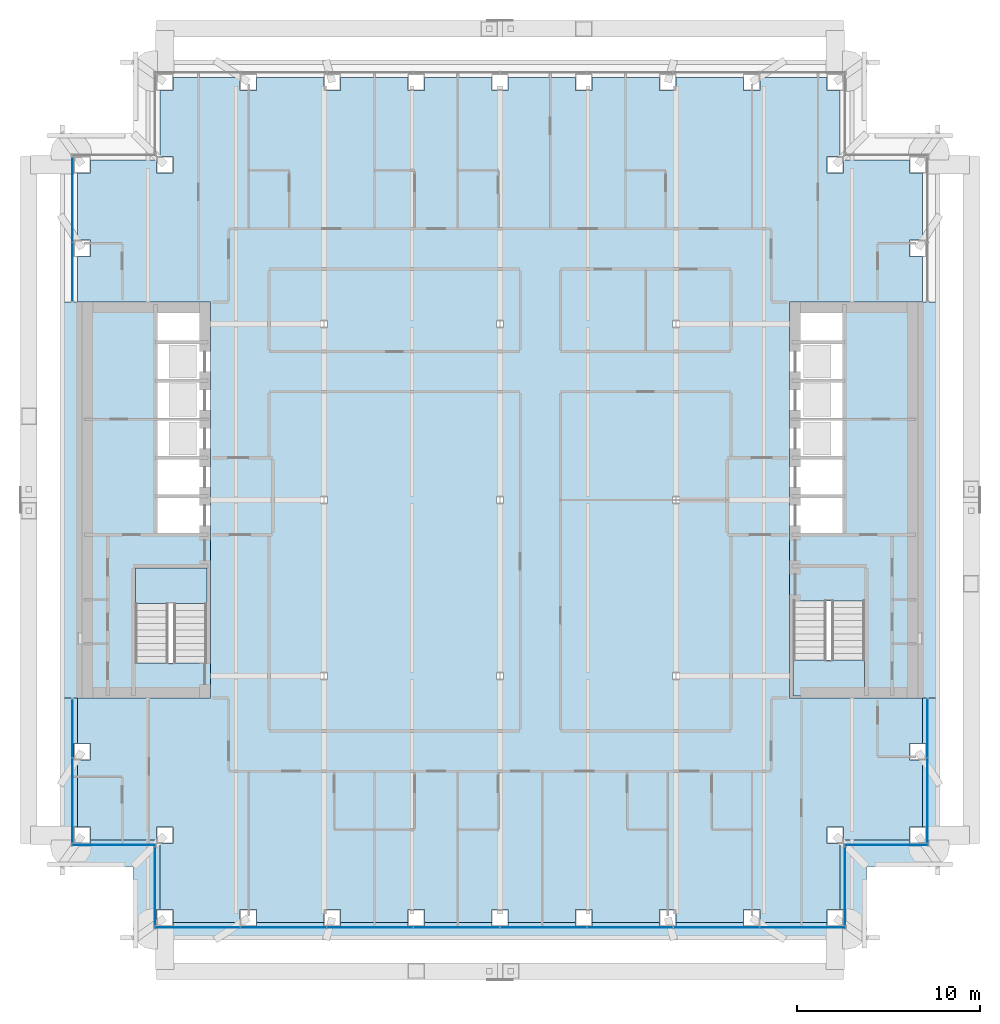
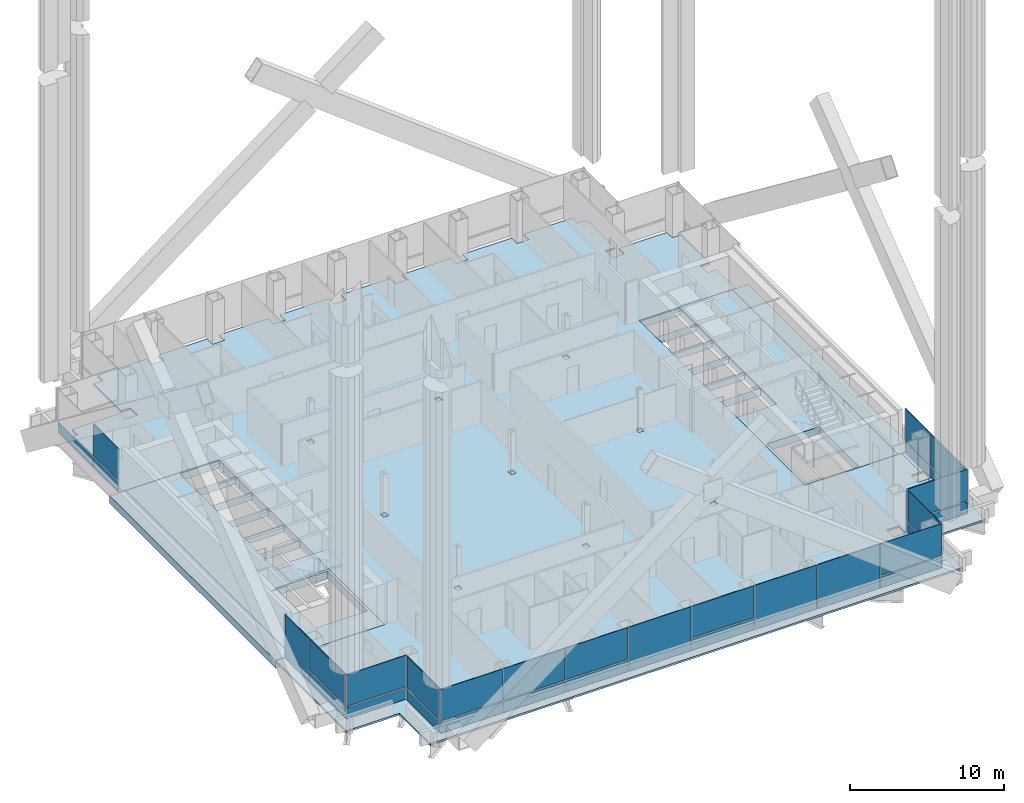
# One storey, part 11 of 22: 31 plates, 8 slabs, 10 elements without a shape of their own.
"""IFC4 building model written with IfcOpenShell, lengths in metres."""

from ifc_helpers import new_model, si_unit, direction, frame, origin, origin_2d, place, context, subcontext, project, spatial, polyline, rectangle, outline, extrude, material, layer, layer_set, type_object, element, aggregate, save


model = new_model("IFC4")

# Units and contexts
model_context = context("Model", 3, precision=1e-05, world=origin(), true_north=direction((0.0, 1.0)))
body_context = subcontext(model_context, "Body", "Model", "MODEL_VIEW")
ifc_project = project(units=[si_unit("LENGTHUNIT", "METRE"), si_unit("AREAUNIT", "SQUARE_METRE"), si_unit("VOLUMEUNIT", "CUBIC_METRE"), si_unit("PLANEANGLEUNIT", "RADIAN"), si_unit("MASSUNIT", "GRAM", prefix="KILO")], contexts=[model_context])

# Site, building, storey
site_placement = place(None, origin())
site = spatial("IfcSite", under=ifc_project, at=site_placement, CompositionType="ELEMENT")
building_placement = place(site_placement, origin())
building = spatial("IfcBuilding", under=site, at=building_placement, Name="Cobrizo Arcos Hotel Tower", CompositionType="ELEMENT")
storey_placement = place(building_placement, frame((0.0, 0.0, 89.0)))
storey = spatial("IfcBuildingStorey", under=building, at=storey_placement, Name="L21", CompositionType="ELEMENT", Elevation=89.0)

# Curtain wall, plates
ifc_material_1 = material(Name="Aluminium 6063-T6 anodised bronze", Category="aluminium")
curtain_wall_type = type_object("IfcCurtainWallType", Name="CW-A guest facade", PredefinedType="NOTDEFINED", material=ifc_material_1)
curtain_wall_1_placement = place(storey_placement, origin())
curtain_wall_1 = element("IfcCurtainWall", 1, at=curtain_wall_1_placement, inside=storey, type_object=curtain_wall_type, Name="CW-A L21 S face", PredefinedType="NOTDEFINED")
ifc_material_2 = material(Name="Glass clear laminated low-e", Category="glass")
ifc_layer_1 = layer(ifc_material_2, 0.0400390625)
ifc_layer_set_1 = layer_set([ifc_layer_1], Name="CW-A glass panel")
plate_type_1 = type_object("IfcPlateType", Name="CW-A glass panel", PredefinedType="CURTAIN_PANEL", material=ifc_layer_set_1)
plate_1_placement = place(storey_placement, frame((-16.5224609375, -23.324951171875, 0.990234375), z_axis=(0.0, 0.0, 1.0), x_axis=(1.0, 0.0, 0.0)))
plate_1 = element("IfcPlate", 2, at=plate_1_placement, type_object=plate_type_1, Name="CW-A glass panel 851", PredefinedType="CURTAIN_PANEL", context=body_context, shape_type="SweptSolid", body=[
    extrude(rectangle(XDim=4.635009765625, YDim=0.0400390625, at=origin_2d()), origin(), (0.0, 0.0, 1.0), 2.510009765625),
])
plate_2_placement = place(storey_placement, frame((-11.8125, -23.324951171875, 0.990234375), z_axis=(0.0, 0.0, 1.0), x_axis=(1.0, 0.0, 0.0)))
plate_2 = element("IfcPlate", 3, at=plate_2_placement, type_object=plate_type_1, Name="CW-A glass panel 852", PredefinedType="CURTAIN_PANEL", context=body_context, shape_type="SweptSolid", body=[
    extrude(rectangle(XDim=4.6650390625, YDim=0.0400390625, at=origin_2d()), origin(), (0.0, 0.0, 1.0), 2.510009765625),
])
plate_3_placement = place(storey_placement, frame((-7.08740234375, -23.324951171875, 0.990234375), z_axis=(0.0, 0.0, 1.0), x_axis=(1.0, 0.0, 0.0)))
plate_3 = element("IfcPlate", 4, at=plate_3_placement, type_object=plate_type_1, Name="CW-A glass panel 853", PredefinedType="CURTAIN_PANEL", context=body_context, shape_type="SweptSolid", body=[
    extrude(rectangle(XDim=4.6650390625, YDim=0.0400390625, at=origin_2d()), origin(), (0.0, 0.0, 1.0), 2.510009765625),
])
plate_4_placement = place(storey_placement, frame((2.362548828125, -23.324951171875, 0.990234375), z_axis=(0.0, 0.0, 1.0), x_axis=(1.0, 0.0, 0.0)))
plate_4 = element("IfcPlate", 5, at=plate_4_placement, type_object=plate_type_1, Name="CW-A glass panel 855", PredefinedType="CURTAIN_PANEL", context=body_context, shape_type="SweptSolid", body=[
    extrude(rectangle(XDim=4.6650390625, YDim=0.0400390625, at=origin_2d()), origin(), (0.0, 0.0, 1.0), 2.510009765625),
])
plate_5_placement = place(storey_placement, frame((16.5224609375, -23.324951171875, 0.990234375), z_axis=(0.0, 0.0, 1.0), x_axis=(1.0, 0.0, 0.0)))
plate_5 = element("IfcPlate", 6, at=plate_5_placement, type_object=plate_type_1, Name="CW-A glass panel 858", PredefinedType="CURTAIN_PANEL", context=body_context, shape_type="SweptSolid", body=[
    extrude(rectangle(XDim=4.635009765625, YDim=0.0400390625, at=origin_2d()), origin(), (0.0, 0.0, 1.0), 2.510009765625),
])

# Curtain wall, plate
curtain_wall_2_placement = place(storey_placement, origin())
curtain_wall_2 = element("IfcCurtainWall", 7, at=curtain_wall_2_placement, inside=storey, type_object=curtain_wall_type, Name="CW-A L21 E face", PredefinedType="NOTDEFINED")
plate_6_placement = place(storey_placement, frame((18.824951171875, -21.074951171875, 0.990234375), z_axis=(0.0, 0.0, 1.0), x_axis=(0.0, 1.0, 0.0)))
plate_6 = element("IfcPlate", 8, at=plate_6_placement, type_object=plate_type_1, Name="CW-A glass panel 859", PredefinedType="CURTAIN_PANEL", context=body_context, shape_type="SweptSolid", body=[
    extrude(rectangle(XDim=4.22998046875, YDim=0.0400390625, at=origin_2d()), origin(), (0.0, 0.0, 1.0), 2.510009765625),
])

curtain_wall_3_placement = place(storey_placement, origin())
curtain_wall_3 = element("IfcCurtainWall", 9, at=curtain_wall_3_placement, inside=storey, type_object=curtain_wall_type, Name="CW-A L21 S face", PredefinedType="NOTDEFINED")
plate_7_placement = place(storey_placement, frame((21.074951171875, -18.824951171875, 0.990234375), z_axis=(0.0, 0.0, 1.0), x_axis=(1.0, 0.0, 0.0)))
plate_7 = element("IfcPlate", 10, at=plate_7_placement, type_object=plate_type_1, Name="CW-A glass panel 860", PredefinedType="CURTAIN_PANEL", context=body_context, shape_type="SweptSolid", body=[
    extrude(rectangle(XDim=4.530029296875, YDim=0.0400390625, at=origin_2d()), origin(), (0.0, 0.0, 1.0), 2.510009765625),
])

# Curtain wall, plates
curtain_wall_4_placement = place(storey_placement, origin())
curtain_wall_4 = element("IfcCurtainWall", 11, at=curtain_wall_4_placement, inside=storey, type_object=curtain_wall_type, Name="CW-A L21 E face", PredefinedType="NOTDEFINED")
plate_8_placement = place(storey_placement, frame((23.324951171875, -16.391357421875, 0.990234375), z_axis=(0.0, 0.0, 1.0), x_axis=(0.0, 1.0, 0.0)))
plate_8 = element("IfcPlate", 12, at=plate_8_placement, type_object=plate_type_1, Name="CW-A glass panel 861", PredefinedType="CURTAIN_PANEL", context=body_context, shape_type="SweptSolid", body=[
    extrude(rectangle(XDim=4.597412109375, YDim=0.0400390625, at=origin_2d()), origin(), (0.0, 0.0, 1.0), 2.510009765625),
])
plate_9_placement = place(storey_placement, frame((23.324951171875, -12.4462890625, 0.990234375), z_axis=(0.0, 0.0, 1.0), x_axis=(0.0, 1.0, 0.0)))
plate_9 = element("IfcPlate", 13, at=plate_9_placement, type_object=plate_type_1, Name="CW-A glass panel 862", PredefinedType="CURTAIN_PANEL", context=body_context, shape_type="SweptSolid", body=[
    extrude(rectangle(XDim=3.172607421875, YDim=0.0400390625, at=origin_2d()), origin(), (0.0, 0.0, 1.0), 2.510009765625),
])

# Curtain wall, plate
curtain_wall_5_placement = place(storey_placement, origin())
curtain_wall_5 = element("IfcCurtainWall", 14, at=curtain_wall_5_placement, inside=storey, type_object=curtain_wall_type, Name="CW-A L21 W face", PredefinedType="NOTDEFINED")
plate_10_placement = place(storey_placement, frame((-23.324951171875, 12.4462890625, 0.990234375), z_axis=(0.0, 0.0, 1.0), x_axis=(0.0, -1.0, 0.0)))
plate_10 = element("IfcPlate", 15, at=plate_10_placement, type_object=plate_type_1, Name="CW-A glass panel 878", PredefinedType="CURTAIN_PANEL", context=body_context, shape_type="SweptSolid", body=[
    extrude(rectangle(XDim=3.172607421875, YDim=0.0400390625, at=origin_2d()), origin(), (0.0, 0.0, 1.0), 2.510009765625),
])

curtain_wall_6_placement = place(storey_placement, origin())
curtain_wall_6 = element("IfcCurtainWall", 16, at=curtain_wall_6_placement, inside=storey, type_object=curtain_wall_type, Name="CW-A L21 W face", PredefinedType="NOTDEFINED")
plate_11_placement = place(storey_placement, frame((-23.324951171875, -16.391357421875, 0.990234375), z_axis=(0.0, 0.0, 1.0), x_axis=(0.0, -1.0, 0.0)))
plate_11 = element("IfcPlate", 17, at=plate_11_placement, type_object=plate_type_1, Name="CW-A glass panel 880", PredefinedType="CURTAIN_PANEL", context=body_context, shape_type="SweptSolid", body=[
    extrude(rectangle(XDim=4.597412109375, YDim=0.0400390625, at=origin_2d()), origin(), (0.0, 0.0, 1.0), 2.510009765625),
])

curtain_wall_7_placement = place(storey_placement, origin())
curtain_wall_7 = element("IfcCurtainWall", 18, at=curtain_wall_7_placement, inside=storey, type_object=curtain_wall_type, Name="CW-A L21 S face", PredefinedType="NOTDEFINED")
plate_12_placement = place(storey_placement, frame((-21.074951171875, -18.824951171875, 0.990234375), z_axis=(0.0, 0.0, 1.0), x_axis=(1.0, 0.0, 0.0)))
plate_12 = element("IfcPlate", 19, at=plate_12_placement, type_object=plate_type_1, Name="CW-A glass panel 881", PredefinedType="CURTAIN_PANEL", context=body_context, shape_type="SweptSolid", body=[
    extrude(rectangle(XDim=4.530029296875, YDim=0.0400390625, at=origin_2d()), origin(), (0.0, 0.0, 1.0), 2.510009765625),
])

curtain_wall_8_placement = place(storey_placement, origin())
curtain_wall_8 = element("IfcCurtainWall", 20, at=curtain_wall_8_placement, inside=storey, type_object=curtain_wall_type, Name="CW-A L21 W face", PredefinedType="NOTDEFINED")
plate_13_placement = place(storey_placement, frame((-18.824951171875, -21.074951171875, 0.990234375), z_axis=(0.0, 0.0, 1.0), x_axis=(0.0, -1.0, 0.0)))
plate_13 = element("IfcPlate", 21, at=plate_13_placement, type_object=plate_type_1, Name="CW-A glass panel 882", PredefinedType="CURTAIN_PANEL", context=body_context, shape_type="SweptSolid", body=[
    extrude(rectangle(XDim=4.22998046875, YDim=0.0400390625, at=origin_2d()), origin(), (0.0, 0.0, 1.0), 2.510009765625),
])

# Plate
ifc_material_3 = material(Name="Aluminium composite panel pale metal", Category="aluminium")
ifc_layer_2 = layer(ifc_material_3, 0.0400390625)
ifc_layer_set_2 = layer_set([ifc_layer_2], Name="CW-A spandrel panel")
plate_type_2 = type_object("IfcPlateType", Name="CW-A spandrel panel", PredefinedType="CURTAIN_PANEL", material=ifc_layer_set_2)
plate_14_placement = place(storey_placement, frame((-16.5224609375, -23.324951171875, 0.0), z_axis=(0.0, 0.0, 1.0), x_axis=(1.0, 0.0, 0.0)))
plate_14 = element("IfcPlate", 22, at=plate_14_placement, type_object=plate_type_2, Name="CW-A spandrel panel 851", PredefinedType="CURTAIN_PANEL", context=body_context, shape_type="SweptSolid", body=[
    extrude(rectangle(XDim=4.635009765625, YDim=0.0400390625, at=origin_2d()), origin(), (0.0, 0.0, 1.0), 0.8701171875),
])

plate_15_placement = place(storey_placement, frame((-11.8125, -23.324951171875, 0.0), z_axis=(0.0, 0.0, 1.0), x_axis=(1.0, 0.0, 0.0)))
plate_15 = element("IfcPlate", 23, at=plate_15_placement, type_object=plate_type_2, Name="CW-A spandrel panel 852", PredefinedType="CURTAIN_PANEL", context=body_context, shape_type="SweptSolid", body=[
    extrude(rectangle(XDim=4.6650390625, YDim=0.0400390625, at=origin_2d()), origin(), (0.0, 0.0, 1.0), 0.8701171875),
])

plate_16_placement = place(storey_placement, frame((-7.08740234375, -23.324951171875, 0.0), z_axis=(0.0, 0.0, 1.0), x_axis=(1.0, 0.0, 0.0)))
plate_16 = element("IfcPlate", 24, at=plate_16_placement, type_object=plate_type_2, Name="CW-A spandrel panel 853", PredefinedType="CURTAIN_PANEL", context=body_context, shape_type="SweptSolid", body=[
    extrude(rectangle(XDim=4.6650390625, YDim=0.0400390625, at=origin_2d()), origin(), (0.0, 0.0, 1.0), 0.8701171875),
])

plate_17_placement = place(storey_placement, frame((-2.362548828125, -23.324951171875, 0.0), z_axis=(0.0, 0.0, 1.0), x_axis=(1.0, 0.0, 0.0)))
plate_17 = element("IfcPlate", 25, at=plate_17_placement, type_object=plate_type_2, Name="CW-A spandrel panel 854", PredefinedType="CURTAIN_PANEL", context=body_context, shape_type="SweptSolid", body=[
    extrude(rectangle(XDim=4.6650390625, YDim=0.0400390625, at=origin_2d()), origin(), (0.0, 0.0, 1.0), 3.5),
])

plate_18_placement = place(storey_placement, frame((2.362548828125, -23.324951171875, 0.0), z_axis=(0.0, 0.0, 1.0), x_axis=(1.0, 0.0, 0.0)))
plate_18 = element("IfcPlate", 26, at=plate_18_placement, type_object=plate_type_2, Name="CW-A spandrel panel 855", PredefinedType="CURTAIN_PANEL", context=body_context, shape_type="SweptSolid", body=[
    extrude(rectangle(XDim=4.6650390625, YDim=0.0400390625, at=origin_2d()), origin(), (0.0, 0.0, 1.0), 0.8701171875),
])

plate_19_placement = place(storey_placement, frame((7.08740234375, -23.324951171875, 0.0), z_axis=(0.0, 0.0, 1.0), x_axis=(1.0, 0.0, 0.0)))
plate_19 = element("IfcPlate", 27, at=plate_19_placement, type_object=plate_type_2, Name="CW-A spandrel panel 856", PredefinedType="CURTAIN_PANEL", context=body_context, shape_type="SweptSolid", body=[
    extrude(rectangle(XDim=4.6650390625, YDim=0.0400390625, at=origin_2d()), origin(), (0.0, 0.0, 1.0), 3.5),
])

plate_20_placement = place(storey_placement, frame((11.8125, -23.324951171875, 0.0), z_axis=(0.0, 0.0, 1.0), x_axis=(1.0, 0.0, 0.0)))
plate_20 = element("IfcPlate", 28, at=plate_20_placement, type_object=plate_type_2, Name="CW-A spandrel panel 857", PredefinedType="CURTAIN_PANEL", context=body_context, shape_type="SweptSolid", body=[
    extrude(rectangle(XDim=4.6650390625, YDim=0.0400390625, at=origin_2d()), origin(), (0.0, 0.0, 1.0), 3.5),
])

plate_21_placement = place(storey_placement, frame((16.5224609375, -23.324951171875, 0.0), z_axis=(0.0, 0.0, 1.0), x_axis=(1.0, 0.0, 0.0)))
plate_21 = element("IfcPlate", 29, at=plate_21_placement, type_object=plate_type_2, Name="CW-A spandrel panel 858", PredefinedType="CURTAIN_PANEL", context=body_context, shape_type="SweptSolid", body=[
    extrude(rectangle(XDim=4.635009765625, YDim=0.0400390625, at=origin_2d()), origin(), (0.0, 0.0, 1.0), 0.8701171875),
])

aggregate(curtain_wall_1, [plate_14, plate_1, plate_15, plate_2, plate_16, plate_3, plate_17, plate_18, plate_4, plate_19, plate_20, plate_21, plate_5])

plate_22_placement = place(storey_placement, frame((18.824951171875, -21.074951171875, 0.0), z_axis=(0.0, 0.0, 1.0), x_axis=(0.0, 1.0, 0.0)))
plate_22 = element("IfcPlate", 30, at=plate_22_placement, type_object=plate_type_2, Name="CW-A spandrel panel 859", PredefinedType="CURTAIN_PANEL", context=body_context, shape_type="SweptSolid", body=[
    extrude(rectangle(XDim=4.22998046875, YDim=0.0400390625, at=origin_2d()), origin(), (0.0, 0.0, 1.0), 0.8701171875),
])

aggregate(curtain_wall_2, [plate_22, plate_6])

plate_23_placement = place(storey_placement, frame((21.074951171875, -18.824951171875, 0.0), z_axis=(0.0, 0.0, 1.0), x_axis=(1.0, 0.0, 0.0)))
plate_23 = element("IfcPlate", 31, at=plate_23_placement, type_object=plate_type_2, Name="CW-A spandrel panel 860", PredefinedType="CURTAIN_PANEL", context=body_context, shape_type="SweptSolid", body=[
    extrude(rectangle(XDim=4.530029296875, YDim=0.0400390625, at=origin_2d()), origin(), (0.0, 0.0, 1.0), 0.8701171875),
])

aggregate(curtain_wall_3, [plate_23, plate_7])

plate_24_placement = place(storey_placement, frame((23.324951171875, -16.391357421875, 0.0), z_axis=(0.0, 0.0, 1.0), x_axis=(0.0, 1.0, 0.0)))
plate_24 = element("IfcPlate", 32, at=plate_24_placement, type_object=plate_type_2, Name="CW-A spandrel panel 861", PredefinedType="CURTAIN_PANEL", context=body_context, shape_type="SweptSolid", body=[
    extrude(rectangle(XDim=4.597412109375, YDim=0.0400390625, at=origin_2d()), origin(), (0.0, 0.0, 1.0), 0.8701171875),
])

plate_25_placement = place(storey_placement, frame((23.324951171875, -12.4462890625, 0.0), z_axis=(0.0, 0.0, 1.0), x_axis=(0.0, 1.0, 0.0)))
plate_25 = element("IfcPlate", 33, at=plate_25_placement, type_object=plate_type_2, Name="CW-A spandrel panel 862", PredefinedType="CURTAIN_PANEL", context=body_context, shape_type="SweptSolid", body=[
    extrude(rectangle(XDim=3.172607421875, YDim=0.0400390625, at=origin_2d()), origin(), (0.0, 0.0, 1.0), 0.8701171875),
])

aggregate(curtain_wall_4, [plate_24, plate_8, plate_25, plate_9])

plate_26_placement = place(storey_placement, frame((-23.324951171875, 16.391357421875, 0.0), z_axis=(0.0, 0.0, 1.0), x_axis=(0.0, -1.0, 0.0)))
plate_26 = element("IfcPlate", 34, at=plate_26_placement, type_object=plate_type_2, Name="CW-A spandrel panel 877", PredefinedType="CURTAIN_PANEL", context=body_context, shape_type="SweptSolid", body=[
    extrude(rectangle(XDim=4.597412109375, YDim=0.0400390625, at=origin_2d()), origin(), (0.0, 0.0, 1.0), 0.8701171875),
])

plate_27_placement = place(storey_placement, frame((-23.324951171875, 12.4462890625, 0.0), z_axis=(0.0, 0.0, 1.0), x_axis=(0.0, -1.0, 0.0)))
plate_27 = element("IfcPlate", 35, at=plate_27_placement, type_object=plate_type_2, Name="CW-A spandrel panel 878", PredefinedType="CURTAIN_PANEL", context=body_context, shape_type="SweptSolid", body=[
    extrude(rectangle(XDim=3.172607421875, YDim=0.0400390625, at=origin_2d()), origin(), (0.0, 0.0, 1.0), 0.8701171875),
])

aggregate(curtain_wall_5, [plate_26, plate_27, plate_10])

plate_28_placement = place(storey_placement, frame((-23.324951171875, -12.4462890625, 0.0), z_axis=(0.0, 0.0, 1.0), x_axis=(0.0, -1.0, 0.0)))
plate_28 = element("IfcPlate", 36, at=plate_28_placement, type_object=plate_type_2, Name="CW-A spandrel panel 879", PredefinedType="CURTAIN_PANEL", context=body_context, shape_type="SweptSolid", body=[
    extrude(rectangle(XDim=3.172607421875, YDim=0.0400390625, at=origin_2d()), origin(), (0.0, 0.0, 1.0), 3.5),
])

plate_29_placement = place(storey_placement, frame((-23.324951171875, -16.391357421875, 0.0), z_axis=(0.0, 0.0, 1.0), x_axis=(0.0, -1.0, 0.0)))
plate_29 = element("IfcPlate", 37, at=plate_29_placement, type_object=plate_type_2, Name="CW-A spandrel panel 880", PredefinedType="CURTAIN_PANEL", context=body_context, shape_type="SweptSolid", body=[
    extrude(rectangle(XDim=4.597412109375, YDim=0.0400390625, at=origin_2d()), origin(), (0.0, 0.0, 1.0), 0.8701171875),
])

aggregate(curtain_wall_6, [plate_28, plate_29, plate_11])

plate_30_placement = place(storey_placement, frame((-21.074951171875, -18.824951171875, 0.0), z_axis=(0.0, 0.0, 1.0), x_axis=(1.0, 0.0, 0.0)))
plate_30 = element("IfcPlate", 38, at=plate_30_placement, type_object=plate_type_2, Name="CW-A spandrel panel 881", PredefinedType="CURTAIN_PANEL", context=body_context, shape_type="SweptSolid", body=[
    extrude(rectangle(XDim=4.530029296875, YDim=0.0400390625, at=origin_2d()), origin(), (0.0, 0.0, 1.0), 0.8701171875),
])

aggregate(curtain_wall_7, [plate_30, plate_12])

plate_31_placement = place(storey_placement, frame((-18.824951171875, -21.074951171875, 0.0), z_axis=(0.0, 0.0, 1.0), x_axis=(0.0, -1.0, 0.0)))
plate_31 = element("IfcPlate", 39, at=plate_31_placement, type_object=plate_type_2, Name="CW-A spandrel panel 882", PredefinedType="CURTAIN_PANEL", context=body_context, shape_type="SweptSolid", body=[
    extrude(rectangle(XDim=4.22998046875, YDim=0.0400390625, at=origin_2d()), origin(), (0.0, 0.0, 1.0), 0.8701171875),
])

aggregate(curtain_wall_8, [plate_31, plate_13])

# Slabs
ifc_material_4 = material(Name="Concrete f'c 35 MPa", Category="concrete")
ifc_layer_3 = layer(ifc_material_4, 0.14990234375)
ifc_layer_set_3 = layer_set([ifc_layer_3], Name="Composite floor slab 150 f'c 35")
slab_type_1 = type_object("IfcSlabType", Name="Composite floor slab 150 f'c 35", PredefinedType="FLOOR", material=ifc_layer_set_3)
slab_1_placement = place(storey_placement, frame((0.0, 0.0, -0.14990234375)))
element("IfcSlab", 40, at=slab_1_placement, inside=storey, type_object=slab_type_1, Name="Floor slab S5, L21, no. 01", PredefinedType="FLOOR", context=body_context, shape_type="SweptSolid", body=[
    extrude(outline(polyline([(-23.050048828125, -14.175048828125), (-22.35009765625, -14.175048828125), (-22.35009765625, -13.27490234375), (-23.050048828125, -13.27490234375), (-23.050048828125, -10.800048828125), (-22.800048828125, -10.800048828125), (-15.800048828125, -10.800048828125), (-15.800048828125, 10.800048828125), (-22.800048828125, 10.800048828125), (-23.050048828125, 10.800048828125), (-23.050048828125, 13.27490234375), (-22.35009765625, 13.27490234375), (-22.35009765625, 14.175048828125), (-23.050048828125, 14.175048828125), (-23.050048828125, 17.85009765625), (-22.35009765625, 17.85009765625), (-22.35009765625, 18.550048828125), (-18.75, 18.550048828125), (-18.75, 17.85009765625), (-17.85009765625, 17.85009765625), (-17.85009765625, 18.75), (-18.550048828125, 18.75), (-18.550048828125, 22.35009765625), (-17.85009765625, 22.35009765625), (-17.85009765625, 23.050048828125), (-14.175048828125, 23.050048828125), (-14.175048828125, 22.35009765625), (-13.27490234375, 22.35009765625), (-13.27490234375, 23.050048828125), (-9.60009765625, 23.050048828125), (-9.60009765625, 22.35009765625), (-8.699951171875, 22.35009765625), (-8.699951171875, 23.050048828125), (-5.02490234375, 23.050048828125), (-5.02490234375, 22.35009765625), (-4.125, 22.35009765625), (-4.125, 23.050048828125), (-0.449951171875, 23.050048828125), (-0.449951171875, 22.35009765625), (0.449951171875, 22.35009765625), (0.449951171875, 23.050048828125), (4.125, 23.050048828125), (4.125, 22.35009765625), (5.02490234375, 22.35009765625), (5.02490234375, 23.050048828125), (8.699951171875, 23.050048828125), (8.699951171875, 22.35009765625), (9.60009765625, 22.35009765625), (9.60009765625, 23.050048828125), (13.27490234375, 23.050048828125), (13.27490234375, 22.35009765625), (14.175048828125, 22.35009765625), (14.175048828125, 23.050048828125), (17.85009765625, 23.050048828125), (17.85009765625, 22.35009765625), (18.550048828125, 22.35009765625), (18.550048828125, 18.75), (17.85009765625, 18.75), (17.85009765625, 17.85009765625), (18.75, 17.85009765625), (18.75, 18.550048828125), (22.35009765625, 18.550048828125), (22.35009765625, 17.85009765625), (23.050048828125, 17.85009765625), (23.050048828125, 14.175048828125), (22.35009765625, 14.175048828125), (22.35009765625, 13.27490234375), (23.050048828125, 13.27490234375), (23.050048828125, 10.800048828125), (22.800048828125, 10.800048828125), (15.800048828125, 10.800048828125), (15.800048828125, -10.800048828125), (22.800048828125, -10.800048828125), (23.050048828125, -10.800048828125), (23.050048828125, -13.27490234375), (22.35009765625, -13.27490234375), (22.35009765625, -14.175048828125), (23.050048828125, -14.175048828125), (23.050048828125, -17.85009765625), (22.35009765625, -17.85009765625), (22.35009765625, -18.550048828125), (18.75, -18.550048828125), (18.75, -17.85009765625), (17.85009765625, -17.85009765625), (17.85009765625, -18.75), (18.550048828125, -18.75), (18.550048828125, -22.35009765625), (17.85009765625, -22.35009765625), (17.85009765625, -23.050048828125), (14.175048828125, -23.050048828125), (14.175048828125, -22.35009765625), (13.27490234375, -22.35009765625), (13.27490234375, -23.050048828125), (9.60009765625, -23.050048828125), (9.60009765625, -22.35009765625), (8.699951171875, -22.35009765625), (8.699951171875, -23.050048828125), (5.02490234375, -23.050048828125), (5.02490234375, -22.35009765625), (4.125, -22.35009765625), (4.125, -23.050048828125), (0.449951171875, -23.050048828125), (0.449951171875, -22.35009765625), (-0.449951171875, -22.35009765625), (-0.449951171875, -23.050048828125), (-4.125, -23.050048828125), (-4.125, -22.35009765625), (-5.02490234375, -22.35009765625), (-5.02490234375, -23.050048828125), (-8.699951171875, -23.050048828125), (-8.699951171875, -22.35009765625), (-9.60009765625, -22.35009765625), (-9.60009765625, -23.050048828125), (-13.27490234375, -23.050048828125), (-13.27490234375, -22.35009765625), (-14.175048828125, -22.35009765625), (-14.175048828125, -23.050048828125), (-17.85009765625, -23.050048828125), (-17.85009765625, -22.35009765625), (-18.550048828125, -22.35009765625), (-18.550048828125, -18.75), (-17.85009765625, -18.75), (-17.85009765625, -17.85009765625), (-18.75, -17.85009765625), (-18.75, -18.550048828125), (-22.35009765625, -18.550048828125), (-22.35009765625, -17.85009765625), (-23.050048828125, -17.85009765625), (-23.050048828125, -14.175048828125)]), holes=[polyline([(-9.400634765625, -9.79931640625), (-9.400634765625, -9.400634765625), (-9.79931640625, -9.400634765625), (-9.79931640625, -9.79931640625), (-9.400634765625, -9.79931640625)]), polyline([(-9.79931640625, -0.199462890625), (-9.400634765625, -0.199462890625), (-9.400634765625, 0.199462890625), (-9.79931640625, 0.199462890625), (-9.79931640625, -0.199462890625)]), polyline([(-9.79931640625, 9.400634765625), (-9.400634765625, 9.400634765625), (-9.400634765625, 9.79931640625), (-9.79931640625, 9.79931640625), (-9.79931640625, 9.400634765625)]), polyline([(-0.199462890625, -9.79931640625), (0.199462890625, -9.79931640625), (0.199462890625, -9.400634765625), (-0.199462890625, -9.400634765625), (-0.199462890625, -9.79931640625)]), polyline([(9.79931640625, -9.79931640625), (9.79931640625, -9.400634765625), (9.400634765625, -9.400634765625), (9.400634765625, -9.79931640625), (9.79931640625, -9.79931640625)]), polyline([(0.199462890625, -0.199462890625), (0.199462890625, 0.199462890625), (-0.199462890625, 0.199462890625), (-0.199462890625, -0.199462890625), (0.199462890625, -0.199462890625)]), polyline([(9.79931640625, -0.199462890625), (9.79931640625, 0.199462890625), (9.400634765625, 0.199462890625), (9.400634765625, -0.199462890625), (9.79931640625, -0.199462890625)]), polyline([(-0.199462890625, 9.400634765625), (0.199462890625, 9.400634765625), (0.199462890625, 9.79931640625), (-0.199462890625, 9.79931640625), (-0.199462890625, 9.400634765625)]), polyline([(9.79931640625, 9.400634765625), (9.79931640625, 9.79931640625), (9.400634765625, 9.79931640625), (9.400634765625, 9.400634765625), (9.79931640625, 9.400634765625)])]), origin(), (0.0, 0.0, 1.0), 0.14990234375),
])
ifc_material_5 = material(Name="Concrete f'c 50 MPa", Category="concrete")
ifc_layer_4 = layer(ifc_material_5, 0.60009765625)
ifc_layer_set_4 = layer_set([ifc_layer_4], Name="RC core floor slab 600 f'c 50")
slab_type_2 = type_object("IfcSlabType", Name="RC core floor slab 600 f'c 50", PredefinedType="FLOOR", material=ifc_layer_set_4)
slab_2_placement = place(storey_placement, frame((0.0, 0.0, -0.60009765625)))
element("IfcSlab", 41, at=slab_2_placement, inside=storey, type_object=slab_type_2, Name="Core floor slab CS4, east core, L21", PredefinedType="FLOOR", context=body_context, shape_type="SweptSolid", body=[
    extrude(outline(polyline([(15.800048828125, 10.800048828125), (22.800048828125, 10.800048828125), (22.800048828125, -10.800048828125), (15.800048828125, -10.800048828125), (15.800048828125, 10.800048828125)]), holes=[polyline([(19.89794921875, -10.697998046875), (19.89794921875, -5.501953125), (16.001953125, -5.501953125), (16.001953125, -10.697998046875), (19.89794921875, -10.697998046875)]), polyline([(15.802001953125, 0.197998046875), (15.802001953125, -1.89794921875), (18.798095703125, -1.89794921875), (18.798095703125, 0.197998046875), (15.802001953125, 0.197998046875)]), polyline([(18.798095703125, 2.298095703125), (15.802001953125, 2.298095703125), (15.802001953125, 0.201904296875), (18.798095703125, 0.201904296875), (18.798095703125, 2.298095703125)]), polyline([(18.798095703125, 4.39794921875), (15.802001953125, 4.39794921875), (15.802001953125, 2.302001953125), (18.798095703125, 2.302001953125), (18.798095703125, 4.39794921875)]), polyline([(15.802001953125, 6.498046875), (15.802001953125, 4.402099609375), (18.798095703125, 4.402099609375), (18.798095703125, 6.498046875), (15.802001953125, 6.498046875)]), polyline([(18.798095703125, 8.597900390625), (15.802001953125, 8.597900390625), (15.802001953125, 6.501953125), (18.798095703125, 6.501953125), (18.798095703125, 8.597900390625)]), polyline([(18.798095703125, 10.697998046875), (15.802001953125, 10.697998046875), (15.802001953125, 8.60205078125), (18.798095703125, 8.60205078125), (18.798095703125, 10.697998046875)])]), origin(), (0.0, 0.0, 1.0), 0.60009765625),
])
slab_3_placement = place(storey_placement, frame((0.0, 0.0, -0.60009765625)))
element("IfcSlab", 42, at=slab_3_placement, inside=storey, type_object=slab_type_2, Name="Core floor slab CS4, west core, L21", PredefinedType="FLOOR", context=body_context, shape_type="SweptSolid", body=[
    extrude(outline(polyline([(-22.800048828125, 10.800048828125), (-15.800048828125, 10.800048828125), (-15.800048828125, -10.800048828125), (-22.800048828125, -10.800048828125), (-22.800048828125, 10.800048828125)]), holes=[polyline([(-19.89794921875, -3.701904296875), (-19.89794921875, -8.89794921875), (-16.001953125, -8.89794921875), (-16.001953125, -3.701904296875), (-19.89794921875, -3.701904296875)]), polyline([(-18.798095703125, 0.197998046875), (-18.798095703125, -1.89794921875), (-15.802001953125, -1.89794921875), (-15.802001953125, 0.197998046875), (-18.798095703125, 0.197998046875)]), polyline([(-15.802001953125, 2.298095703125), (-18.798095703125, 2.298095703125), (-18.798095703125, 0.201904296875), (-15.802001953125, 0.201904296875), (-15.802001953125, 2.298095703125)]), polyline([(-15.802001953125, 4.39794921875), (-18.798095703125, 4.39794921875), (-18.798095703125, 2.302001953125), (-15.802001953125, 2.302001953125), (-15.802001953125, 4.39794921875)]), polyline([(-18.798095703125, 6.498046875), (-18.798095703125, 4.402099609375), (-15.802001953125, 4.402099609375), (-15.802001953125, 6.498046875), (-18.798095703125, 6.498046875)]), polyline([(-15.802001953125, 8.597900390625), (-18.798095703125, 8.597900390625), (-18.798095703125, 6.501953125), (-15.802001953125, 6.501953125), (-15.802001953125, 8.597900390625)]), polyline([(-15.802001953125, 10.697998046875), (-18.798095703125, 10.697998046875), (-18.798095703125, 8.60205078125), (-15.802001953125, 8.60205078125), (-15.802001953125, 10.697998046875)])]), origin(), (0.0, 0.0, 1.0), 0.60009765625),
])
ifc_layer_5 = layer(ifc_material_5, 0.60009765625)
ifc_layer_set_5 = layer_set([ifc_layer_5], Name="RC core roof slab 600 f'c 50")
slab_type_3 = type_object("IfcSlabType", Name="RC core roof slab 600 f'c 50", PredefinedType="ROOF", material=ifc_layer_set_5)
slab_4_placement = place(storey_placement, frame((0.0, 0.0, -0.60009765625)))
element("IfcSlab", 43, at=slab_4_placement, inside=storey, type_object=slab_type_3, Name="Core roof slab CR3, L21, no. 1", PredefinedType="ROOF", context=body_context, shape_type="SweptSolid", body=[
    extrude(outline(polyline([(-24.0, -10.800048828125), (-24.0, 10.800048828125), (-22.800048828125, 10.800048828125), (-22.800048828125, -10.800048828125), (-24.0, -10.800048828125)])), origin(), (0.0, 0.0, 1.0), 0.60009765625),
])
slab_5_placement = place(storey_placement, frame((0.0, 0.0, -0.60009765625)))
element("IfcSlab", 44, at=slab_5_placement, inside=storey, type_object=slab_type_3, Name="Core roof slab CR3, L21, no. 2", PredefinedType="ROOF", context=body_context, shape_type="SweptSolid", body=[
    extrude(outline(polyline([(24.0, 10.800048828125), (24.0, -10.800048828125), (22.800048828125, -10.800048828125), (22.800048828125, 10.800048828125), (24.0, 10.800048828125)])), origin(), (0.0, 0.0, 1.0), 0.60009765625),
])
ifc_layer_6 = layer(ifc_material_4, 0.14990234375)
ifc_layer_set_6 = layer_set([ifc_layer_6], Name="RC roof slab 150 f'c 35")
slab_type_4 = type_object("IfcSlabType", Name="RC roof slab 150 f'c 35", PredefinedType="ROOF", material=ifc_layer_set_6)
slab_6_placement = place(storey_placement, frame((0.0, 0.0, -0.14990234375)))
element("IfcSlab", 45, at=slab_6_placement, inside=storey, type_object=slab_type_4, Name="Roof slab RS5, L21, no. 01", PredefinedType="ROOF", context=body_context, shape_type="SweptSolid", body=[
    extrude(outline(polyline([(-24.0, -10.800048828125), (-23.050048828125, -10.800048828125), (-23.050048828125, -13.27490234375), (-23.25, -13.27490234375), (-23.25, -14.175048828125), (-23.050048828125, -14.175048828125), (-23.050048828125, -17.85009765625), (-23.25, -17.85009765625), (-23.25, -18.75), (-22.35009765625, -18.75), (-22.35009765625, -18.550048828125), (-18.75, -18.550048828125), (-18.75, -18.75), (-18.550048828125, -18.75), (-18.550048828125, -22.35009765625), (-18.75, -22.35009765625), (-18.75, -23.25), (-17.85009765625, -23.25), (-17.85009765625, -23.050048828125), (-14.175048828125, -23.050048828125), (-14.175048828125, -23.25), (-13.27490234375, -23.25), (-13.27490234375, -23.050048828125), (-9.60009765625, -23.050048828125), (-9.60009765625, -23.25), (-8.699951171875, -23.25), (-8.699951171875, -23.050048828125), (-5.02490234375, -23.050048828125), (-5.02490234375, -23.25), (-4.125, -23.25), (-4.125, -23.050048828125), (-0.449951171875, -23.050048828125), (-0.449951171875, -23.25), (0.449951171875, -23.25), (0.449951171875, -23.050048828125), (4.125, -23.050048828125), (4.125, -23.25), (5.02490234375, -23.25), (5.02490234375, -23.050048828125), (8.699951171875, -23.050048828125), (8.699951171875, -23.25), (9.60009765625, -23.25), (9.60009765625, -23.050048828125), (13.27490234375, -23.050048828125), (13.27490234375, -23.25), (14.175048828125, -23.25), (14.175048828125, -23.050048828125), (17.85009765625, -23.050048828125), (17.85009765625, -23.25), (18.75, -23.25), (18.75, -22.35009765625), (18.550048828125, -22.35009765625), (18.550048828125, -18.75), (18.75, -18.75), (18.75, -18.550048828125), (22.35009765625, -18.550048828125), (22.35009765625, -18.75), (23.25, -18.75), (23.25, -17.85009765625), (23.050048828125, -17.85009765625), (23.050048828125, -14.175048828125), (23.25, -14.175048828125), (23.25, -13.27490234375), (23.050048828125, -13.27490234375), (23.050048828125, -10.800048828125), (24.0, -10.800048828125), (24.0, -20.0), (20.0, -20.0), (20.0, -24.0), (-20.0, -24.0), (-20.0, -20.0), (-24.0, -20.0), (-24.0, -10.800048828125)])), origin(), (0.0, 0.0, 1.0), 0.14990234375),
])

# Stair, slab
ifc_material_6 = material(Name="Concrete f'c 40 MPa", Category="concrete")
stair_type = type_object("IfcStairType", Name="Exit stair", PredefinedType="HALF_TURN_STAIR", material=ifc_material_6)
stair_1_placement = place(storey_placement, origin())
stair_1 = element("IfcStair", 46, at=stair_1_placement, inside=storey, type_object=stair_type, Name="L21 Exit stair ST-W", PredefinedType="HALF_TURN_STAIR")
ifc_layer_7 = layer(ifc_material_6, 0.199951171875)
ifc_layer_set_7 = layer_set([ifc_layer_7], Name="Stair landing")
slab_type_5 = type_object("IfcSlabType", Name="Stair landing", PredefinedType="LANDING", material=ifc_layer_set_7)
slab_7_placement = place(storey_placement, frame((0.0, 0.0, 1.550048828125)))
slab_7 = element("IfcSlab", 47, at=slab_7_placement, type_object=slab_type_5, Name="ST-W landing 1", PredefinedType="LANDING", context=body_context, shape_type="SweptSolid", body=[
    extrude(outline(polyline([(-16.0, -5.659912109375), (-16.0, -3.699951171875), (-19.89990234375, -3.699951171875), (-19.89990234375, -5.659912109375), (-16.0, -5.659912109375)])), origin(), (0.0, 0.0, 1.0), 0.199951171875),
])
aggregate(stair_1, [slab_7])

stair_2_placement = place(storey_placement, origin())
stair_2 = element("IfcStair", 48, at=stair_2_placement, inside=storey, type_object=stair_type, Name="L21 Exit stair ST-E", PredefinedType="HALF_TURN_STAIR")
slab_8_placement = place(storey_placement, frame((0.0, 0.0, 1.550048828125)))
slab_8 = element("IfcSlab", 49, at=slab_8_placement, type_object=slab_type_5, Name="ST-E landing 1", PredefinedType="LANDING", context=body_context, shape_type="SweptSolid", body=[
    extrude(outline(polyline([(16.0, -8.739990234375), (16.0, -10.699951171875), (19.89990234375, -10.699951171875), (19.89990234375, -8.739990234375), (16.0, -8.739990234375)])), origin(), (0.0, 0.0, 1.0), 0.199951171875),
])
aggregate(stair_2, [slab_8])

save(model, "model.ifc")
